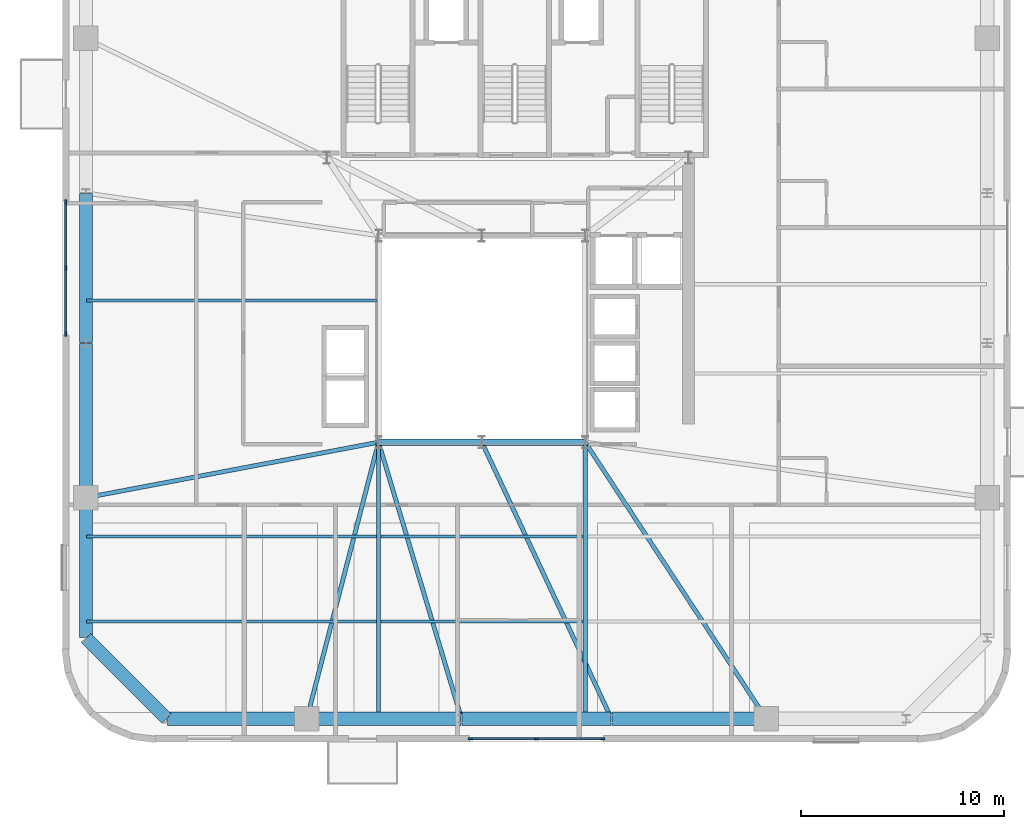
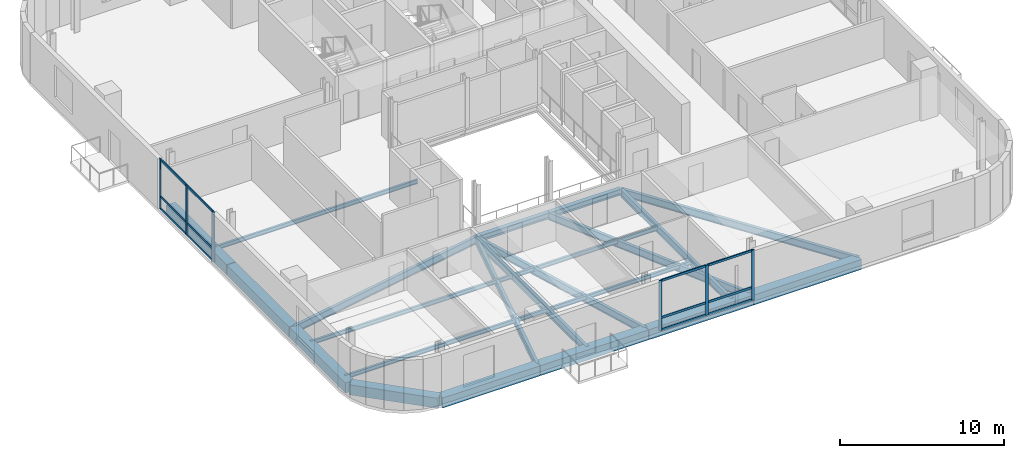
# One storey, part 3 of 15: 22 beams, 18 members, 2 elements without a shape of their own.
"""IFC4 building model written with IfcOpenShell, lengths in metres."""

from ifc_helpers import new_model, si_unit, direction, frame, origin, origin_2d, place, context, subcontext, project, spatial, rectangle, i_section, extrude, source, transform, mapped, material, material_profile, profile_set, type_object, element, aggregate, save


model = new_model("IFC4")

# Units and contexts
model_context = context("Model", 3, precision=1e-05, world=origin(), true_north=direction((0.0, 1.0)))
body_context = subcontext(model_context, "Body", "Model", "MODEL_VIEW")
ifc_project = project(units=[si_unit("LENGTHUNIT", "METRE"), si_unit("AREAUNIT", "SQUARE_METRE"), si_unit("VOLUMEUNIT", "CUBIC_METRE"), si_unit("PLANEANGLEUNIT", "RADIAN"), si_unit("MASSUNIT", "GRAM", prefix="KILO")], contexts=[model_context])

# Site, building, storey
site_placement = place(None, origin())
site = spatial("IfcSite", under=ifc_project, at=site_placement, CompositionType="ELEMENT")
building_placement = place(site_placement, origin())
building = spatial("IfcBuilding", under=site, at=building_placement, Name="Vardaveli Station Tower", CompositionType="ELEMENT")
storey_placement = place(building_placement, frame((0.0, 0.0, 246.64990234375)))
storey = spatial("IfcBuildingStorey", under=building, at=storey_placement, Name="L63", CompositionType="ELEMENT", Elevation=246.64990234375)

# Beams
ifc_material_1 = material(Name="Structural steel S355J2", Category="steel")
ifc_material_profile_1 = material_profile(ifc_material_1, i_section(OverallWidth=0.300048828125, OverallDepth=0.449951171875, WebThickness=0.013916015625, FlangeThickness=0.02587890625, FilletRadius=0.027099609375, at=origin_2d()), Name="HEB 450")
ifc_profile_set_1 = profile_set([ifc_material_profile_1], Name="Structural steel S355J2")
beam_type_1 = type_object("IfcBeamType", Name="BM-HEB450", PredefinedType="BEAM", material=ifc_profile_set_1)
shared_shape_1 = source(origin(), body_context, "Body", "SweptSolid", [
    extrude(i_section(OverallWidth=0.300048828125, OverallDepth=0.449951171875, WebThickness=0.013916015625, FlangeThickness=0.02587890625, FilletRadius=0.027099609375, at=origin_2d()), origin(), (0.0, 0.0, 1.0), 5.06005859375),
])
beam_1_placement = place(storey_placement, frame((31.219970703125, 16.60009765625, -0.44482421875), z_axis=(1.0, 0.0, 0.0), x_axis=(0.0, 1.0, 0.0)))
element("IfcBeam", 1, at=beam_1_placement, inside=storey, type_object=beam_type_1, Name="ABM-L63-01", PredefinedType="BEAM", context=body_context, shape_type="MappedRepresentation", body=[
    mapped(shared_shape_1, transform((0.0, 0.0, 0.0), scale=1.0)),
])
shared_shape_2 = source(origin(), body_context, "Body", "SweptSolid", [
    extrude(i_section(OverallWidth=0.300048828125, OverallDepth=0.449951171875, WebThickness=0.013916015625, FlangeThickness=0.02587890625, FilletRadius=0.027099609375, at=origin_2d()), origin(), (0.0, 0.0, 1.0), 5.059814453125),
])
beam_2_placement = place(storey_placement, frame((36.320068359375, 16.60009765625, -0.44482421875), z_axis=(1.0, 0.0, 0.0), x_axis=(0.0, 1.0, 0.0)))
element("IfcBeam", 2, at=beam_2_placement, inside=storey, type_object=beam_type_1, Name="ABM-L63-02", PredefinedType="BEAM", context=body_context, shape_type="MappedRepresentation", body=[
    mapped(shared_shape_2, transform((0.0, 0.0, 0.0), scale=1.0)),
])
ifc_material_2 = material(Name="Precast concrete C45/55", Category="concrete")
ifc_material_profile_2 = material_profile(ifc_material_2, rectangle(XDim=0.64990234375, YDim=0.75, at=origin_2d()), Name="LPB 650x750")
ifc_profile_set_2 = profile_set([ifc_material_profile_2], Name="Precast concrete C45/55")
beam_type_2 = type_object("IfcBeamType", Name="BM-LPB-750", PredefinedType="BEAM", material=ifc_profile_set_2)
shared_shape_3 = source(origin(), body_context, "Body", "SweptSolid", [
    extrude(rectangle(XDim=0.64990234375, YDim=0.75, at=origin_2d()), origin(), (0.0, 0.0, 1.0), 7.60009765625),
])
for number, where, z_axis, x_axis, name in (
    (3, (27.679931640625, 2.949951171875, -0.594970703125), (1.0, 0.0, 0.0), (0.0, 1.0, 0.0), "RBM-L63-01"),
    (4, (42.719970703125, 2.949951171875, -0.594970703125), (1.0, 0.0, 0.0), (0.0, 1.0, 0.0), "RBM-L63-03"),
    (5, (16.75, 21.47998046875, -0.594970703125), (0.0, -1.0, 0.0), (1.0, 0.0, 0.0), "RBM-L63-21"),
):
    element("IfcBeam", number, at=place(storey_placement, frame(where, z_axis=z_axis, x_axis=x_axis)), inside=storey, type_object=beam_type_2, Name=name, PredefinedType="BEAM", context=body_context, shape_type="MappedRepresentation", body=[
        mapped(shared_shape_3, transform((0.0, 0.0, 0.0), scale=1.0)),
    ])
shared_shape_4 = source(origin(), body_context, "Body", "SweptSolid", [
    extrude(rectangle(XDim=0.64990234375, YDim=0.75, at=origin_2d()), origin(), (0.0, 0.0, 1.0), 7.35986328125),
])
for number, where, z_axis, x_axis, name in (
    (6, (35.320068359375, 2.949951171875, -0.594970703125), (1.0, 0.0, 0.0), (0.0, 1.0, 0.0), "RBM-L63-02"),
    (7, (16.75, 28.8798828125, -0.594970703125), (0.0, -1.0, 0.0), (1.0, 0.0, 0.0), "RBM-L63-20"),
):
    element("IfcBeam", number, at=place(storey_placement, frame(where, z_axis=z_axis, x_axis=x_axis)), inside=storey, type_object=beam_type_2, Name=name, PredefinedType="BEAM", context=body_context, shape_type="MappedRepresentation", body=[
        mapped(shared_shape_4, transform((0.0, 0.0, 0.0), scale=1.0)),
    ])
shared_shape_5 = source(origin(), body_context, "Body", "SweptSolid", [
    extrude(rectangle(XDim=0.64990234375, YDim=0.75, at=origin_2d()), origin(), (0.0, 0.0, 1.0), 6.869873046875),
])
beam_3_placement = place(storey_placement, frame((20.77001953125, 2.949951171875, -0.594970703125), z_axis=(1.0, 0.0, 0.0), x_axis=(0.0, 1.0, 0.0)))
element("IfcBeam", 8, at=beam_3_placement, inside=storey, type_object=beam_type_2, Name="RBM-L63-24", PredefinedType="BEAM", context=body_context, shape_type="MappedRepresentation", body=[
    mapped(shared_shape_5, transform((0.0, 0.0, 0.0), scale=1.0)),
])
shared_shape_6 = source(origin(), body_context, "Body", "SweptSolid", [
    extrude(rectangle(XDim=0.64990234375, YDim=0.75, at=origin_2d()), origin(), (0.0, 0.0, 1.0), 5.61669921875),
])
beam_4_placement = place(storey_placement, frame((16.76416015625, 6.935791015625, -0.594970703125), z_axis=(0.707106781187, -0.707106781187, 0.0), x_axis=(0.707106781187, 0.707106781187, 0.0)))
element("IfcBeam", 9, at=beam_4_placement, inside=storey, type_object=beam_type_2, Name="RBM-L63-23", PredefinedType="BEAM", context=body_context, shape_type="MappedRepresentation", body=[
    mapped(shared_shape_6, transform((0.0, 0.0, 0.0), scale=1.0)),
])
shared_shape_7 = source(origin(), body_context, "Body", "SweptSolid", [
    extrude(rectangle(XDim=0.64990234375, YDim=0.75, at=origin_2d()), origin(), (0.0, 0.0, 1.0), 6.8701171875),
])
beam_5_placement = place(storey_placement, frame((16.75, 13.840087890625, -0.594970703125), z_axis=(0.0, -1.0, 0.0), x_axis=(1.0, 0.0, 0.0)))
element("IfcBeam", 10, at=beam_5_placement, inside=storey, type_object=beam_type_2, Name="RBM-L63-22", PredefinedType="BEAM", context=body_context, shape_type="MappedRepresentation", body=[
    mapped(shared_shape_7, transform((0.0, 0.0, 0.0), scale=1.0)),
])
ifc_material_profile_3 = material_profile(ifc_material_1, i_section(OverallWidth=0.2099609375, OverallDepth=0.550048828125, WebThickness=0.010986328125, FlangeThickness=0.01708984375, FilletRadius=0.02392578125, at=origin_2d()), Name="IPE 550")
ifc_profile_set_3 = profile_set([ifc_material_profile_3], Name="Structural steel S355J2")
beam_type_3 = type_object("IfcBeamType", Name="BM-IPE550", PredefinedType="BEAM", material=ifc_profile_set_3)
shared_shape_8 = source(origin(), body_context, "Body", "SweptSolid", [
    extrude(i_section(OverallWidth=0.2099609375, OverallDepth=0.550048828125, WebThickness=0.010986328125, FlangeThickness=0.01708984375, FilletRadius=0.02392578125, at=origin_2d()), origin(), (0.0, 0.0, 1.0), 13.469970703125),
])
for number, where, z_axis, x_axis, name in (
    (11, (31.199951171875, 2.989990234375, -0.494873046875), (0.0, 1.0, 0.0), (-1.0, 0.0, 0.0), "NSM-L63-S1"),
    (12, (41.39990234375, 2.989990234375, -0.494873046875), (0.0, 1.0, 0.0), (-1.0, 0.0, 0.0), "NSM-L63-S2"),
):
    element("IfcBeam", number, at=place(storey_placement, frame(where, z_axis=z_axis, x_axis=x_axis)), inside=storey, type_object=beam_type_3, Name=name, PredefinedType="BEAM", context=body_context, shape_type="MappedRepresentation", body=[
        mapped(shared_shape_8, transform((0.0, 0.0, 0.0), scale=1.0)),
    ])
shared_shape_9 = source(origin(), body_context, "Body", "SweptSolid", [
    extrude(i_section(OverallWidth=0.2099609375, OverallDepth=0.550048828125, WebThickness=0.010986328125, FlangeThickness=0.01708984375, FilletRadius=0.02392578125, at=origin_2d()), origin(), (0.0, 0.0, 1.0), 14.0615234375),
])
beam_6_placement = place(storey_placement, frame((27.6650390625, 2.96923828125, -0.494873046875), z_axis=(0.251039886128, 0.967976743302, 0.0), x_axis=(-0.967976743302, 0.251039886128, 0.0)))
element("IfcBeam", 13, at=beam_6_placement, inside=storey, type_object=beam_type_3, Name="GBM-L63-01", PredefinedType="BEAM", context=body_context, shape_type="MappedRepresentation", body=[
    mapped(shared_shape_9, transform((0.0, 0.0, 0.0), scale=1.0)),
])
shared_shape_10 = source(origin(), body_context, "Body", "SweptSolid", [
    extrude(i_section(OverallWidth=0.2099609375, OverallDepth=0.550048828125, WebThickness=0.010986328125, FlangeThickness=0.01708984375, FilletRadius=0.02392578125, at=origin_2d()), origin(), (0.0, 0.0, 1.0), 14.21240234375),
])
beam_7_placement = place(storey_placement, frame((35.294189453125, 2.96923828125, -0.494873046875), z_axis=(-0.287664640516, 0.957731201641, 0.0), x_axis=(-0.957731201641, -0.287664640516, 0.0)))
element("IfcBeam", 14, at=beam_7_placement, inside=storey, type_object=beam_type_3, Name="GBM-L63-02", PredefinedType="BEAM", context=body_context, shape_type="MappedRepresentation", body=[
    mapped(shared_shape_10, transform((0.0, 0.0, 0.0), scale=1.0)),
])
shared_shape_11 = source(origin(), body_context, "Body", "SweptSolid", [
    extrude(i_section(OverallWidth=0.2099609375, OverallDepth=0.550048828125, WebThickness=0.010986328125, FlangeThickness=0.01708984375, FilletRadius=0.02392578125, at=origin_2d()), origin(), (0.0, 0.0, 1.0), 15.035888671875),
])
beam_8_placement = place(storey_placement, frame((42.69140625, 2.968017578125, -0.494873046875), z_axis=(-0.424507924171, 0.905424222293, 0.0), x_axis=(-0.905424222293, -0.424507924171, 0.0)))
element("IfcBeam", 15, at=beam_8_placement, inside=storey, type_object=beam_type_3, Name="GBM-L63-03", PredefinedType="BEAM", context=body_context, shape_type="MappedRepresentation", body=[
    mapped(shared_shape_11, transform((0.0, 0.0, 0.0), scale=1.0)),
])
shared_shape_12 = source(origin(), body_context, "Body", "SweptSolid", [
    extrude(i_section(OverallWidth=0.2099609375, OverallDepth=0.550048828125, WebThickness=0.010986328125, FlangeThickness=0.01708984375, FilletRadius=0.02392578125, at=origin_2d()), origin(), (0.0, 0.0, 1.0), 16.277099609375),
])
beam_9_placement = place(storey_placement, frame((50.3291015625, 2.966796875, -0.494873046875), z_axis=(-0.547901042625, 0.836543153394, 0.0), x_axis=(-0.836543153394, -0.547901042625, 0.0)))
element("IfcBeam", 16, at=beam_9_placement, inside=storey, type_object=beam_type_3, Name="GBM-L63-04", PredefinedType="BEAM", context=body_context, shape_type="MappedRepresentation", body=[
    mapped(shared_shape_12, transform((0.0, 0.0, 0.0), scale=1.0)),
])
shared_shape_13 = source(origin(), body_context, "Body", "SweptSolid", [
    extrude(i_section(OverallWidth=0.2099609375, OverallDepth=0.550048828125, WebThickness=0.010986328125, FlangeThickness=0.01708984375, FilletRadius=0.02392578125, at=origin_2d()), origin(), (0.0, 0.0, 1.0), 14.667724609375),
])
beam_10_placement = place(storey_placement, frame((16.76953125, 13.86376953125, -0.494873046875), z_axis=(0.982494981835, 0.186289051395, 0.0), x_axis=(-0.186289051395, 0.982494981835, 0.0)))
element("IfcBeam", 17, at=beam_10_placement, inside=storey, type_object=beam_type_3, Name="GBM-L63-10", PredefinedType="BEAM", context=body_context, shape_type="MappedRepresentation", body=[
    mapped(shared_shape_13, transform((0.0, 0.0, 0.0), scale=1.0)),
])
ifc_material_profile_4 = material_profile(ifc_material_1, i_section(OverallWidth=0.14990234375, OverallDepth=0.300048828125, WebThickness=0.007080078125, FlangeThickness=0.0107421875, FilletRadius=0.014892578125, at=origin_2d()), Name="IPE 300")
ifc_profile_set_4 = profile_set([ifc_material_profile_4], Name="Structural steel S355J2")
beam_type_4 = type_object("IfcBeamType", Name="BM-IPE300", PredefinedType="JOIST", material=ifc_profile_set_4)
shared_shape_14 = source(origin(), body_context, "Body", "SweptSolid", [
    extrude(i_section(OverallWidth=0.14990234375, OverallDepth=0.300048828125, WebThickness=0.007080078125, FlangeThickness=0.0107421875, FilletRadius=0.014892578125, at=origin_2d()), origin(), (0.0, 0.0, 1.0), 14.2978515625),
])
for number, where, z_axis, x_axis, name in (
    (18, (16.7900390625, 7.75, -0.369873046875), (1.0, 0.0, 0.0), (0.0, 1.0, 0.0), "SJ-L63-S01"),
    (19, (16.7900390625, 11.949951171875, -0.369873046875), (1.0, 0.0, 0.0), (0.0, 1.0, 0.0), "SJ-L63-S04"),
    (20, (16.7900390625, 23.60009765625, -0.369873046875), (1.0, 0.0, 0.0), (0.0, 1.0, 0.0), "SJ-L63-W08"),
):
    element("IfcBeam", number, at=place(storey_placement, frame(where, z_axis=z_axis, x_axis=x_axis)), inside=storey, type_object=beam_type_4, Name=name, PredefinedType="JOIST", context=body_context, shape_type="MappedRepresentation", body=[
        mapped(shared_shape_14, transform((0.0, 0.0, 0.0), scale=1.0)),
    ])
shared_shape_15 = source(origin(), body_context, "Body", "SweptSolid", [
    extrude(i_section(OverallWidth=0.14990234375, OverallDepth=0.300048828125, WebThickness=0.007080078125, FlangeThickness=0.0107421875, FilletRadius=0.014892578125, at=origin_2d()), origin(), (0.0, 0.0, 1.0), 9.97607421875),
])
for number, where, z_axis, x_axis, name in (
    (21, (31.31201171875, 7.75, -0.369873046875), (1.0, 0.0, 0.0), (0.0, 1.0, 0.0), "SJ-L63-S02"),
    (22, (31.31201171875, 11.949951171875, -0.369873046875), (1.0, 0.0, 0.0), (0.0, 1.0, 0.0), "SJ-L63-S05"),
):
    element("IfcBeam", number, at=place(storey_placement, frame(where, z_axis=z_axis, x_axis=x_axis)), inside=storey, type_object=beam_type_4, Name=name, PredefinedType="JOIST", context=body_context, shape_type="MappedRepresentation", body=[
        mapped(shared_shape_15, transform((0.0, 0.0, 0.0), scale=1.0)),
    ])

# Curtain wall, members
ifc_material_3 = material(Name="Travertine stone and solar-control glass", Category="masonry")
curtain_wall_type = type_object("IfcCurtainWallType", Name="CW-SYS-5", PredefinedType="NOTDEFINED", material=ifc_material_3)
curtain_wall_1_placement = place(storey_placement, origin())
curtain_wall_1 = element("IfcCurtainWall", 23, at=curtain_wall_1_placement, inside=storey, type_object=curtain_wall_type, Name="CW-L63-S", PredefinedType="NOTDEFINED")
ifc_material_4 = material(Name="Anodised aluminium alloy 6063-T6", Category="aluminium")
ifc_material_profile_5 = material_profile(ifc_material_4, rectangle(XDim=0.080078125, YDim=0.1650390625, at=origin_2d()), Name="CWT 80x165")
ifc_profile_set_5 = profile_set([ifc_material_profile_5], Name="Anodised aluminium alloy 6063-T6")
member_type_1 = type_object("IfcMemberType", Name="CW-SYS-5-TRAN", PredefinedType="NOTDEFINED", material=ifc_profile_set_5)
shared_shape_16 = source(origin(), body_context, "Body", "SweptSolid", [
    extrude(rectangle(XDim=0.080078125, YDim=0.1650390625, at=origin_2d()), origin(), (0.0, 0.0, 1.0), 3.179931640625),
])
member_1_placement = place(storey_placement, frame((35.780029296875, 1.9599609375, 0.0400390625), z_axis=(1.0, 0.0, 0.0), x_axis=(0.0, 1.0, 0.0)))
member_1 = element("IfcMember", 24, at=member_1_placement, type_object=member_type_1, Name="CW-5 transom 1.1", ObjectType="TRANSOM", PredefinedType="USERDEFINED", context=body_context, shape_type="MappedRepresentation", body=[
    mapped(shared_shape_16, transform((0.0, 0.0, 0.0), scale=1.0)),
])
member_2_placement = place(storey_placement, frame((35.780029296875, 1.9599609375, 0.9501953125), z_axis=(1.0, 0.0, 0.0), x_axis=(0.0, 1.0, 0.0)))
member_2 = element("IfcMember", 25, at=member_2_placement, type_object=member_type_1, Name="CW-5 transom 1.2", ObjectType="TRANSOM", PredefinedType="USERDEFINED", context=body_context, shape_type="MappedRepresentation", body=[
    mapped(shared_shape_16, transform((0.0, 0.0, 0.0), scale=1.0)),
])
member_3_placement = place(storey_placement, frame((35.780029296875, 1.9599609375, 3.690185546875), z_axis=(1.0, 0.0, 0.0), x_axis=(0.0, 1.0, 0.0)))
member_3 = element("IfcMember", 26, at=member_3_placement, type_object=member_type_1, Name="CW-5 transom 1.3", ObjectType="TRANSOM", PredefinedType="USERDEFINED", context=body_context, shape_type="MappedRepresentation", body=[
    mapped(shared_shape_16, transform((0.0, 0.0, 0.0), scale=1.0)),
])
member_4_placement = place(storey_placement, frame((39.0400390625, 1.9599609375, 0.0400390625), z_axis=(1.0, 0.0, 0.0), x_axis=(0.0, 1.0, 0.0)))
member_4 = element("IfcMember", 27, at=member_4_placement, type_object=member_type_1, Name="CW-5 transom 2.1", ObjectType="TRANSOM", PredefinedType="USERDEFINED", context=body_context, shape_type="MappedRepresentation", body=[
    mapped(shared_shape_16, transform((0.0, 0.0, 0.0), scale=1.0)),
])
member_5_placement = place(storey_placement, frame((39.0400390625, 1.9599609375, 0.9501953125), z_axis=(1.0, 0.0, 0.0), x_axis=(0.0, 1.0, 0.0)))
member_5 = element("IfcMember", 28, at=member_5_placement, type_object=member_type_1, Name="CW-5 transom 2.2", ObjectType="TRANSOM", PredefinedType="USERDEFINED", context=body_context, shape_type="MappedRepresentation", body=[
    mapped(shared_shape_16, transform((0.0, 0.0, 0.0), scale=1.0)),
])
member_6_placement = place(storey_placement, frame((39.0400390625, 1.9599609375, 3.690185546875), z_axis=(1.0, 0.0, 0.0), x_axis=(0.0, 1.0, 0.0)))
member_6 = element("IfcMember", 29, at=member_6_placement, type_object=member_type_1, Name="CW-5 transom 2.3", ObjectType="TRANSOM", PredefinedType="USERDEFINED", context=body_context, shape_type="MappedRepresentation", body=[
    mapped(shared_shape_16, transform((0.0, 0.0, 0.0), scale=1.0)),
])

curtain_wall_2_placement = place(storey_placement, origin())
curtain_wall_2 = element("IfcCurtainWall", 30, at=curtain_wall_2_placement, inside=storey, type_object=curtain_wall_type, Name="CW-L63-W", PredefinedType="NOTDEFINED")
member_7_placement = place(storey_placement, frame((15.760009765625, 28.419921875, 0.0400390625), z_axis=(0.0, -1.0, 0.0), x_axis=(1.0, 0.0, 0.0)))
member_7 = element("IfcMember", 31, at=member_7_placement, type_object=member_type_1, Name="CW-5 transom 1.1", ObjectType="TRANSOM", PredefinedType="USERDEFINED", context=body_context, shape_type="MappedRepresentation", body=[
    mapped(shared_shape_16, transform((0.0, 0.0, 0.0), scale=1.0)),
])
member_8_placement = place(storey_placement, frame((15.760009765625, 28.419921875, 0.9501953125), z_axis=(0.0, -1.0, 0.0), x_axis=(1.0, 0.0, 0.0)))
member_8 = element("IfcMember", 32, at=member_8_placement, type_object=member_type_1, Name="CW-5 transom 1.2", ObjectType="TRANSOM", PredefinedType="USERDEFINED", context=body_context, shape_type="MappedRepresentation", body=[
    mapped(shared_shape_16, transform((0.0, 0.0, 0.0), scale=1.0)),
])
member_9_placement = place(storey_placement, frame((15.760009765625, 28.419921875, 3.690185546875), z_axis=(0.0, -1.0, 0.0), x_axis=(1.0, 0.0, 0.0)))
member_9 = element("IfcMember", 33, at=member_9_placement, type_object=member_type_1, Name="CW-5 transom 1.3", ObjectType="TRANSOM", PredefinedType="USERDEFINED", context=body_context, shape_type="MappedRepresentation", body=[
    mapped(shared_shape_16, transform((0.0, 0.0, 0.0), scale=1.0)),
])
member_10_placement = place(storey_placement, frame((15.760009765625, 25.159912109375, 0.0400390625), z_axis=(0.0, -1.0, 0.0), x_axis=(1.0, 0.0, 0.0)))
member_10 = element("IfcMember", 34, at=member_10_placement, type_object=member_type_1, Name="CW-5 transom 2.1", ObjectType="TRANSOM", PredefinedType="USERDEFINED", context=body_context, shape_type="MappedRepresentation", body=[
    mapped(shared_shape_16, transform((0.0, 0.0, 0.0), scale=1.0)),
])
member_11_placement = place(storey_placement, frame((15.760009765625, 25.159912109375, 0.9501953125), z_axis=(0.0, -1.0, 0.0), x_axis=(1.0, 0.0, 0.0)))
member_11 = element("IfcMember", 35, at=member_11_placement, type_object=member_type_1, Name="CW-5 transom 2.2", ObjectType="TRANSOM", PredefinedType="USERDEFINED", context=body_context, shape_type="MappedRepresentation", body=[
    mapped(shared_shape_16, transform((0.0, 0.0, 0.0), scale=1.0)),
])
member_12_placement = place(storey_placement, frame((15.760009765625, 25.159912109375, 3.690185546875), z_axis=(0.0, -1.0, 0.0), x_axis=(1.0, 0.0, 0.0)))
member_12 = element("IfcMember", 36, at=member_12_placement, type_object=member_type_1, Name="CW-5 transom 2.3", ObjectType="TRANSOM", PredefinedType="USERDEFINED", context=body_context, shape_type="MappedRepresentation", body=[
    mapped(shared_shape_16, transform((0.0, 0.0, 0.0), scale=1.0)),
])

# Member
ifc_material_profile_6 = material_profile(ifc_material_4, rectangle(XDim=0.080078125, YDim=0.205078125, at=origin_2d()), Name="CWM 80x205")
ifc_profile_set_6 = profile_set([ifc_material_profile_6], Name="Anodised aluminium alloy 6063-T6")
member_type_2 = type_object("IfcMemberType", Name="CW-SYS-5-MULL", PredefinedType="MULLION", material=ifc_profile_set_6)
shared_shape_17 = source(origin(), body_context, "Body", "SweptSolid", [
    extrude(rectangle(XDim=0.080078125, YDim=0.205078125, at=origin_2d()), origin(), (0.0, 0.0, 1.0), 3.72998046875),
])
member_13_placement = place(storey_placement, frame((35.739990234375, 1.9599609375, 0.0), z_axis=(0.0, 0.0, 1.0), x_axis=(0.0, 1.0, 0.0)))
member_13 = element("IfcMember", 37, at=member_13_placement, type_object=member_type_2, Name="CW-5 mullion 1", PredefinedType="MULLION", context=body_context, shape_type="MappedRepresentation", body=[
    mapped(shared_shape_17, transform((0.0, 0.0, 0.0), scale=1.0)),
])

member_14_placement = place(storey_placement, frame((39.0, 1.9599609375, 0.0), z_axis=(0.0, 0.0, 1.0), x_axis=(0.0, 1.0, 0.0)))
member_14 = element("IfcMember", 38, at=member_14_placement, type_object=member_type_2, Name="CW-5 mullion 2", PredefinedType="MULLION", context=body_context, shape_type="MappedRepresentation", body=[
    mapped(shared_shape_17, transform((0.0, 0.0, 0.0), scale=1.0)),
])

member_15_placement = place(storey_placement, frame((42.260009765625, 1.9599609375, 0.0), z_axis=(0.0, 0.0, 1.0), x_axis=(0.0, 1.0, 0.0)))
member_15 = element("IfcMember", 39, at=member_15_placement, type_object=member_type_2, Name="CW-5 mullion 3", PredefinedType="MULLION", context=body_context, shape_type="MappedRepresentation", body=[
    mapped(shared_shape_17, transform((0.0, 0.0, 0.0), scale=1.0)),
])

aggregate(curtain_wall_1, [member_13, member_14, member_15, member_1, member_2, member_3, member_4, member_5, member_6])

member_16_placement = place(storey_placement, frame((15.760009765625, 28.4599609375, 0.0), z_axis=(0.0, 0.0, 1.0), x_axis=(1.0, 0.0, 0.0)))
member_16 = element("IfcMember", 40, at=member_16_placement, type_object=member_type_2, Name="CW-5 mullion 1", PredefinedType="MULLION", context=body_context, shape_type="MappedRepresentation", body=[
    mapped(shared_shape_17, transform((0.0, 0.0, 0.0), scale=1.0)),
])

member_17_placement = place(storey_placement, frame((15.760009765625, 25.199951171875, 0.0), z_axis=(0.0, 0.0, 1.0), x_axis=(1.0, 0.0, 0.0)))
member_17 = element("IfcMember", 41, at=member_17_placement, type_object=member_type_2, Name="CW-5 mullion 2", PredefinedType="MULLION", context=body_context, shape_type="MappedRepresentation", body=[
    mapped(shared_shape_17, transform((0.0, 0.0, 0.0), scale=1.0)),
])

member_18_placement = place(storey_placement, frame((15.760009765625, 21.93994140625, 0.0), z_axis=(0.0, 0.0, 1.0), x_axis=(1.0, 0.0, 0.0)))
member_18 = element("IfcMember", 42, at=member_18_placement, type_object=member_type_2, Name="CW-5 mullion 3", PredefinedType="MULLION", context=body_context, shape_type="MappedRepresentation", body=[
    mapped(shared_shape_17, transform((0.0, 0.0, 0.0), scale=1.0)),
])

aggregate(curtain_wall_2, [member_16, member_17, member_18, member_7, member_8, member_9, member_10, member_11, member_12])

save(model, "model.ifc")
